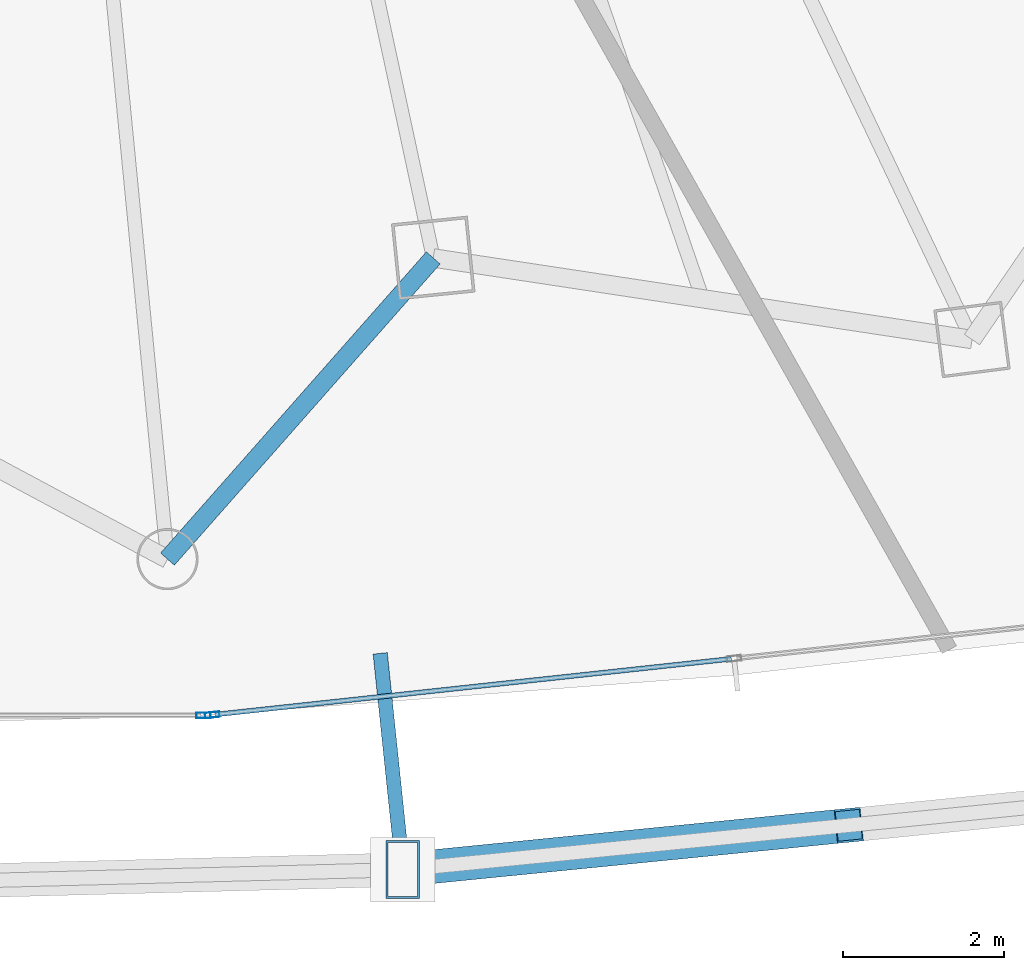
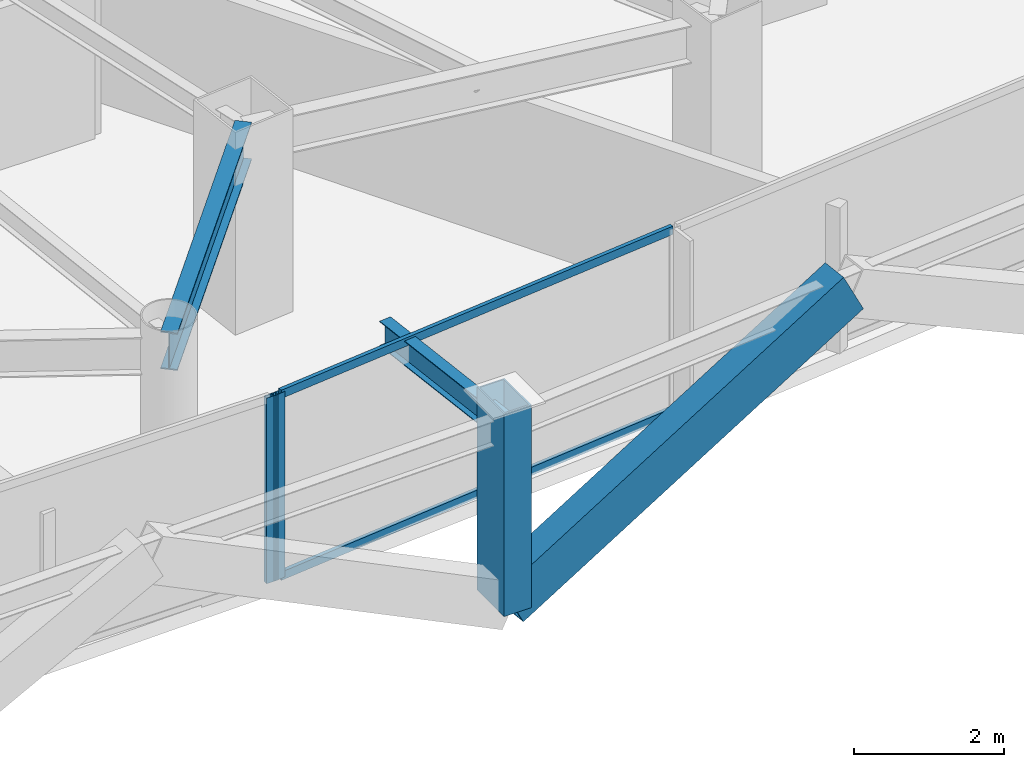
# One storey, part 13 of 38: 6 members, 2 beams, 2 elements without a shape of their own.
"""IFC4 building model written with IfcOpenShell, lengths in metres."""

from ifc_helpers import new_model, si_unit, direction, frame, origin, origin_2d, place, context, subcontext, project, spatial, hollow_rectangle, i_section, extrude, material, layer, layer_set, material_profile, profile_set, type_object, element, aggregate, save


model = new_model("IFC4")

# Units and contexts
model_context = context("Model", 3, precision=1e-05, world=origin(), true_north=direction((0.0, 1.0)))
body_context = subcontext(model_context, "Body", "Model", "MODEL_VIEW")
ifc_project = project(units=[si_unit("LENGTHUNIT", "METRE"), si_unit("AREAUNIT", "SQUARE_METRE"), si_unit("VOLUMEUNIT", "CUBIC_METRE"), si_unit("PLANEANGLEUNIT", "RADIAN"), si_unit("MASSUNIT", "GRAM", prefix="KILO")], contexts=[model_context])

# Site, building, storey
site_placement = place(None, origin())
site = spatial("IfcSite", under=ifc_project, at=site_placement, CompositionType="ELEMENT")
building_placement = place(site_placement, origin())
building = spatial("IfcBuilding", under=site, at=building_placement, Name="Orvanel Arch Residences", CompositionType="ELEMENT")
storey_placement = place(building_placement, frame((0.0, 0.0, 56.60009765625)))
storey = spatial("IfcBuildingStorey", under=building, at=storey_placement, Name="L15", CompositionType="ELEMENT", Elevation=56.60009765625)

# Members
ifc_material_1 = material(Name="Structural steel AS/NZS 3678 Grade 350", Category="steel")
ifc_material_profile_1 = material_profile(ifc_material_1, hollow_rectangle(XDim=0.419921875, YDim=0.719970703125, WallThickness=0.02490234375, at=origin_2d()), Name="RHS720x420x25")
ifc_profile_set_1 = profile_set([ifc_material_profile_1], Name="Structural steel AS/NZS 3678 Grade 350")
member_type_1 = type_object("IfcMemberType", Name="BR-720RHS-EXT", PredefinedType="BRACE", material=ifc_profile_set_1)
member_1_placement = place(storey_placement, frame((41.971923828125, -0.260986328125, 0.0), z_axis=(0.888332492606, 0.088305991021, 0.450630041754), x_axis=(-0.098918923584, 0.9950954962, 0.0)))
element("IfcMember", 1, at=member_1_placement, inside=storey, type_object=member_type_1, Name="L15 Exterior Sky-Garden V-Frame Chevron F2B3.1", PredefinedType="BRACE", context=body_context, shape_type="SweptSolid", body=[
    extrude(hollow_rectangle(XDim=0.419921875, YDim=0.719970703125, WallThickness=0.02490234375, at=origin_2d()), origin(), (0.0, 0.0, 1.0), 6.2509765625),
])
ifc_material_profile_2 = material_profile(ifc_material_1, hollow_rectangle(XDim=0.419921875, YDim=0.719970703125, WallThickness=0.02490234375, at=origin_2d()), Name="RHS720x420x25")
ifc_profile_set_2 = profile_set([ifc_material_profile_2], Name="Structural steel AS/NZS 3678 Grade 350")
member_type_2 = type_object("IfcMemberType", Name="CH-720RHS-EXT", PredefinedType="CHORD", material=ifc_profile_set_2)
member_2_placement = place(storey_placement, frame((41.971923828125, -0.260986328125, 0.0), z_axis=(0.0, 0.0, 1.0), x_axis=(1.0, 0.0, 0.0)))
element("IfcMember", 2, at=member_2_placement, inside=storey, type_object=member_type_2, Name="L15 Outer Perimeter Frame Post 07", PredefinedType="CHORD", context=body_context, shape_type="SweptSolid", body=[
    extrude(hollow_rectangle(XDim=0.419921875, YDim=0.719970703125, WallThickness=0.02490234375, at=origin_2d()), origin(), (0.0, 0.0, 1.0), 3.2998046875),
])

# Curtain wall, member
ifc_material_2 = material(Name="Bronze-anodised aluminium AA6063-T6", Category="aluminium")
ifc_layer = layer(ifc_material_2, 0.179931640625)
ifc_layer_set = layer_set([ifc_layer], Name="Bronze-anodised aluminium AA6063-T6")
curtain_wall_type = type_object("IfcCurtainWallType", Name="CW2-LOW-SYS", PredefinedType="NOTDEFINED", material=ifc_layer_set)
curtain_wall_1_placement = place(storey_placement, origin())
curtain_wall_1 = element("IfcCurtainWall", 3, at=curtain_wall_1_placement, inside=storey, type_object=curtain_wall_type, Name="L15 CW2-LOW-SYS Unitised Curtain Wall", PredefinedType="NOTDEFINED")
ifc_material_profile_3 = material_profile(ifc_material_2, hollow_rectangle(XDim=0.070068359375, YDim=0.179931640625, WallThickness=0.00439453125, at=origin_2d()), Name="ALU180x70x4.5")
ifc_profile_set_3 = profile_set([ifc_material_profile_3], Name="Bronze-anodised aluminium AA6063-T6")
member_type_3 = type_object("IfcMemberType", Name="MUL-180x70", PredefinedType="MULLION", material=ifc_profile_set_3)
member_3_placement = place(storey_placement, frame((39.489990234375, 1.659912109375, 0.0), z_axis=(0.0, 0.0, 1.0), x_axis=(0.0, 1.0, 0.0)))
member_3 = element("IfcMember", 4, at=member_3_placement, type_object=member_type_3, Name="CW-S2 mullion 3", PredefinedType="MULLION", context=body_context, shape_type="SweptSolid", body=[
    extrude(hollow_rectangle(XDim=0.070068359375, YDim=0.179931640625, WallThickness=0.00439453125, at=origin_2d()), origin(), (0.0, 0.0, 1.0), 3.02001953125),
])
aggregate(curtain_wall_1, [member_3])

curtain_wall_2_placement = place(storey_placement, origin())
curtain_wall_2 = element("IfcCurtainWall", 5, at=curtain_wall_2_placement, inside=storey, type_object=curtain_wall_type, Name="L15 CW2-LOW-SYS Unitised Curtain Wall", PredefinedType="NOTDEFINED")
member_4_placement = place(storey_placement, frame((39.599853515625, 1.665771484375, 0.0), z_axis=(0.0, 0.0, 1.0), x_axis=(-0.107357145401, 0.994220520474, 0.0)))
member_4 = element("IfcMember", 6, at=member_4_placement, type_object=member_type_3, Name="CW-S2 mullion 1", PredefinedType="MULLION", context=body_context, shape_type="SweptSolid", body=[
    extrude(hollow_rectangle(XDim=0.070068359375, YDim=0.179931640625, WallThickness=0.00439453125, at=origin_2d()), origin(), (0.0, 0.0, 1.0), 3.02001953125),
])

# Beams
ifc_material_3 = material(Name="Structural steel AS/NZS 3679.1 Grade 300 (300 MPa)", Category="steel")
ifc_material_profile_4 = material_profile(ifc_material_3, i_section(OverallWidth=0.177978515625, OverallDepth=0.406005859375, WebThickness=0.0078125, FlangeThickness=0.0126953125, at=origin_2d()), Name="410UB59.7")
ifc_profile_set_4 = profile_set([ifc_material_profile_4], Name="Structural steel AS/NZS 3679.1 Grade 300 (300 MPa)")
beam_type_1 = type_object("IfcBeamType", Name="OB-410UB-EXT", PredefinedType="SPANDREL", material=ifc_profile_set_4)
beam_1_placement = place(storey_placement, frame((41.69091796875, 2.431884765625, 2.81689453125), z_axis=(0.103788207921, -0.994599420821, 0.0), x_axis=(0.994599420821, 0.103788207921, 0.0)))
element("IfcBeam", 7, at=beam_1_placement, inside=storey, type_object=beam_type_1, Name="L15 Outer Frame Radial Tie Beam 07", PredefinedType="SPANDREL", context=body_context, shape_type="SweptSolid", body=[
    extrude(i_section(OverallWidth=0.177978515625, OverallDepth=0.406005859375, WebThickness=0.0078125, FlangeThickness=0.0126953125, at=origin_2d()), origin(), (0.0, 0.0, 1.0), 2.70751953125),
])
ifc_material_profile_5 = material_profile(ifc_material_3, i_section(OverallWidth=0.22900390625, OverallDepth=0.612060546875, WebThickness=0.011962890625, FlangeThickness=0.01953125, at=origin_2d()), Name="610UB125")
ifc_profile_set_5 = profile_set([ifc_material_profile_5], Name="Structural steel AS/NZS 3679.1 Grade 300 (300 MPa)")
beam_type_2 = type_object("IfcBeamType", Name="SP-610UB", PredefinedType="SPANDREL", material=ifc_profile_set_5)
beam_2_placement = place(storey_placement, frame((39.0419921875, 3.60498046875, 2.7138671875), z_axis=(0.661650698195, 0.749812212209, 0.0), x_axis=(-0.749812212209, 0.661650698195, 0.0)))
element("IfcBeam", 8, at=beam_2_placement, inside=storey, type_object=beam_type_2, Name="L15 Perimeter Spandrel Beam 08", PredefinedType="SPANDREL", context=body_context, shape_type="SweptSolid", body=[
    extrude(i_section(OverallWidth=0.22900390625, OverallDepth=0.612060546875, WebThickness=0.011962890625, FlangeThickness=0.01953125, at=origin_2d()), origin(), (0.0, 0.0, 1.0), 5.001220703125),
])

# Member
ifc_material_profile_6 = material_profile(ifc_material_2, hollow_rectangle(XDim=0.06005859375, YDim=0.135009765625, WallThickness=0.00390625, at=origin_2d()), Name="ALU135x60x4")
ifc_profile_set_6 = profile_set([ifc_material_profile_6], Name="Bronze-anodised aluminium AA6063-T6")
member_type_4 = type_object("IfcMemberType", Name="TRN-135x60", PredefinedType="USERDEFINED", material=ifc_profile_set_6)
member_5_placement = place(storey_placement, frame((39.634521484375, 1.66943359375, 0.02978515625), z_axis=(0.994220236619, 0.107359774108, 0.0), x_axis=(-0.107359774108, 0.994220236619, 0.0)))
member_5 = element("IfcMember", 9, at=member_5_placement, type_object=member_type_4, Name="CW-S2 transom 1.1", ObjectType="TRANSOM", PredefinedType="USERDEFINED", context=body_context, shape_type="SweptSolid", body=[
    extrude(hollow_rectangle(XDim=0.06005859375, YDim=0.135009765625, WallThickness=0.00390625, at=origin_2d()), origin(), (0.0, 0.0, 1.0), 6.465087890625),
])

member_6_placement = place(storey_placement, frame((39.634521484375, 1.66943359375, 2.989990234375), z_axis=(0.994220236619, 0.107359774108, 0.0), x_axis=(-0.107359774108, 0.994220236619, 0.0)))
member_6 = element("IfcMember", 10, at=member_6_placement, type_object=member_type_4, Name="CW-S2 transom 1.2", ObjectType="TRANSOM", PredefinedType="USERDEFINED", context=body_context, shape_type="SweptSolid", body=[
    extrude(hollow_rectangle(XDim=0.06005859375, YDim=0.135009765625, WallThickness=0.00390625, at=origin_2d()), origin(), (0.0, 0.0, 1.0), 6.465087890625),
])

aggregate(curtain_wall_2, [member_4, member_5, member_6])

save(model, "model.ifc")
